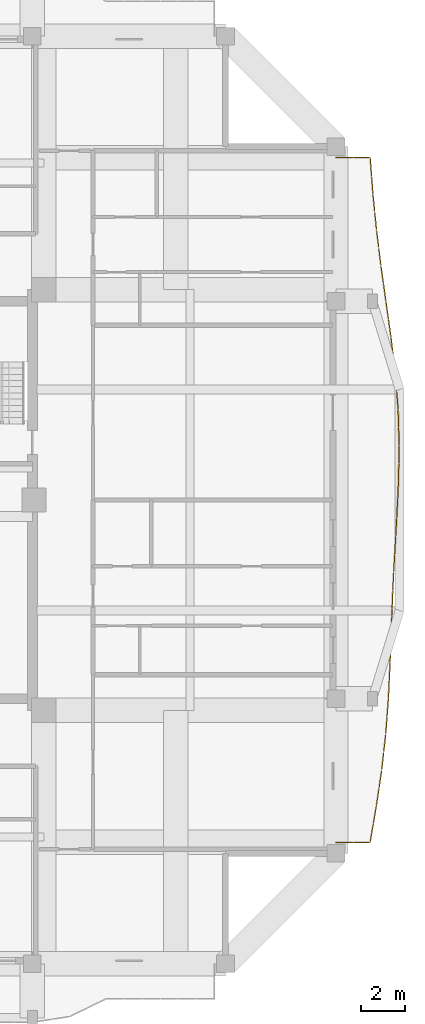
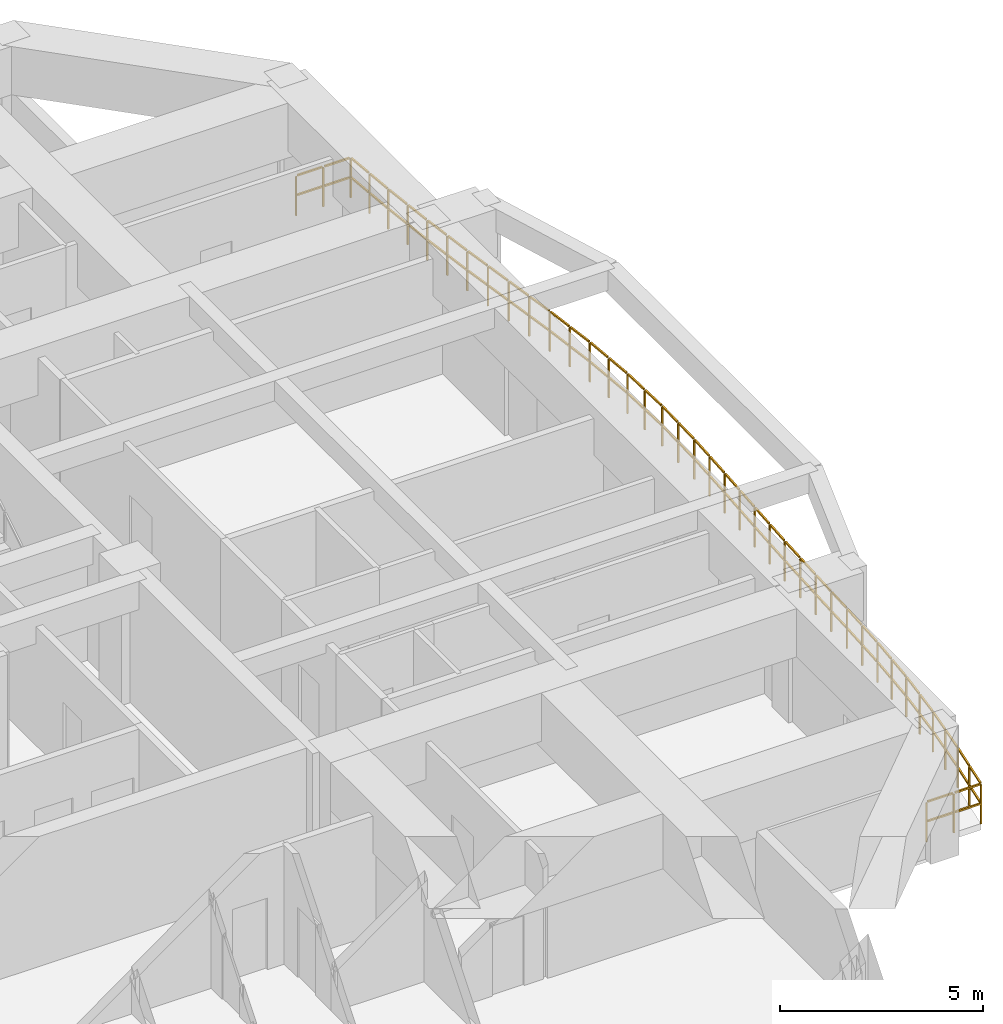
# One storey, part 12 of 13: 1 railing.
"""IFC4 building model written with IfcOpenShell, lengths in metres."""

from ifc_helpers import new_model, si_unit, direction, frame, origin, origin_2d, place, context, subcontext, project, spatial, rectangle, extrude, material, type_object, element, save


model = new_model("IFC4")

# Units and contexts
model_context = context("Model", 3, precision=1e-05, world=origin(), true_north=direction((0.0, 1.0)))
body_context = subcontext(model_context, "Body", "Model", "MODEL_VIEW")
ifc_project = project(units=[si_unit("LENGTHUNIT", "METRE"), si_unit("AREAUNIT", "SQUARE_METRE"), si_unit("VOLUMEUNIT", "CUBIC_METRE"), si_unit("PLANEANGLEUNIT", "RADIAN"), si_unit("MASSUNIT", "GRAM", prefix="KILO")], contexts=[model_context])

# Site, building, storey
site_placement = place(None, origin())
site = spatial("IfcSite", under=ifc_project, at=site_placement, CompositionType="ELEMENT")
building_placement = place(site_placement, origin())
building = spatial("IfcBuilding", under=site, at=building_placement, Name="Saelheon Loggia Tower", CompositionType="ELEMENT")
storey_placement = place(building_placement, frame((0.0, 0.0, 192.699951171875)))
storey = spatial("IfcBuildingStorey", under=building, at=storey_placement, Name="L60", CompositionType="ELEMENT", Elevation=192.699951171875)

# Railing
ifc_material = material(Name="Architectural Precast Concrete and Laminated Glass Guard", Category="concrete")
railing_type = type_object("IfcRailingType", Name="Guard_Loggia_RL_LOG", PredefinedType="BALUSTRADE", material=ifc_material)
railing_placement = place(storey_placement, frame((58.25, 11.5, 0.0)))
element("IfcRailing", 1, at=railing_placement, inside=storey, type_object=railing_type, Name="L60 East Loggia Balustrade", PredefinedType="BALUSTRADE", context=body_context, shape_type="SweptSolid", body=[
    extrude(rectangle(XDim=0.048095703125, YDim=0.048095703125, at=origin_2d()), frame((0.033203125, 0.0, 1.19580078125), z_axis=(1.0, 0.0, 0.0), x_axis=(0.0, 1.0, 0.0)), (0.0, 0.0, 1.0), 0.70849609375),
    extrude(rectangle(XDim=0.048095703125, YDim=0.048095703125, at=origin_2d()), frame((0.033203125, 0.0, 0.60986328125), z_axis=(1.0, 0.0, 0.0), x_axis=(0.0, 1.0, 0.0)), (0.0, 0.0, 1.0), 0.70849609375),
    extrude(rectangle(XDim=0.048095703125, YDim=0.048095703125, at=origin_2d()), frame((0.808349609375, 0.0, 1.19580078125), z_axis=(1.0, 0.0, 0.0), x_axis=(0.0, 1.0, 0.0)), (0.0, 0.0, 1.0), 0.70849609375),
    extrude(rectangle(XDim=0.048095703125, YDim=0.048095703125, at=origin_2d()), frame((0.808349609375, 0.0, 0.60986328125), z_axis=(1.0, 0.0, 0.0), x_axis=(0.0, 1.0, 0.0)), (0.0, 0.0, 1.0), 0.70849609375),
    extrude(rectangle(XDim=0.048095703125, YDim=0.048095703125, at=origin_2d()), frame((1.5556640625, 0.03271484375, 1.19580078125), z_axis=(0.168583084277, 0.985687447265, 0.0), x_axis=(-0.985687447265, 0.168583084277, 0.0)), (0.0, 0.0, 1.0), 0.76123046875),
    extrude(rectangle(XDim=0.048095703125, YDim=0.048095703125, at=origin_2d()), frame((1.5556640625, 0.03271484375, 0.60986328125), z_axis=(0.168583084277, 0.985687447265, 0.0), x_axis=(-0.985687447265, 0.168583084277, 0.0)), (0.0, 0.0, 1.0), 0.76123046875),
    extrude(rectangle(XDim=0.048095703125, YDim=0.048095703125, at=origin_2d()), frame((1.695068359375, 0.8486328125, 1.19580078125), z_axis=(0.168583084277, 0.985687447265, 0.0), x_axis=(-0.985687447265, 0.168583084277, 0.0)), (0.0, 0.0, 1.0), 0.76123046875),
    extrude(rectangle(XDim=0.048095703125, YDim=0.048095703125, at=origin_2d()), frame((1.695068359375, 0.8486328125, 0.60986328125), z_axis=(0.168583084277, 0.985687447265, 0.0), x_axis=(-0.985687447265, 0.168583084277, 0.0)), (0.0, 0.0, 1.0), 0.76123046875),
    extrude(rectangle(XDim=0.048095703125, YDim=0.048095703125, at=origin_2d()), frame((1.833984375, 1.66455078125, 1.19580078125), z_axis=(0.147262012595, 0.989097517764, 0.0), x_axis=(-0.989097517764, 0.147262012595, 0.0)), (0.0, 0.0, 1.0), 0.75830078125),
    extrude(rectangle(XDim=0.048095703125, YDim=0.048095703125, at=origin_2d()), frame((1.833984375, 1.66455078125, 0.60986328125), z_axis=(0.147262012595, 0.989097517764, 0.0), x_axis=(-0.989097517764, 0.147262012595, 0.0)), (0.0, 0.0, 1.0), 0.75830078125),
    extrude(rectangle(XDim=0.048095703125, YDim=0.048095703125, at=origin_2d()), frame((1.95556640625, 2.480224609375, 1.19580078125), z_axis=(0.147262012595, 0.989097517764, 0.0), x_axis=(-0.989097517764, 0.147262012595, 0.0)), (0.0, 0.0, 1.0), 0.75830078125),
    extrude(rectangle(XDim=0.048095703125, YDim=0.048095703125, at=origin_2d()), frame((1.95556640625, 2.480224609375, 0.60986328125), z_axis=(0.147262012595, 0.989097517764, 0.0), x_axis=(-0.989097517764, 0.147262012595, 0.0)), (0.0, 0.0, 1.0), 0.75830078125),
    extrude(rectangle(XDim=0.048095703125, YDim=0.048095703125, at=origin_2d()), frame((2.07568359375, 3.296142578125, 1.19580078125), z_axis=(0.111671794523, 0.993745143539, 0.0), x_axis=(-0.993745143539, 0.111671794523, 0.0)), (0.0, 0.0, 1.0), 0.75439453125),
    extrude(rectangle(XDim=0.048095703125, YDim=0.048095703125, at=origin_2d()), frame((2.07568359375, 3.296142578125, 0.60986328125), z_axis=(0.111671794523, 0.993745143539, 0.0), x_axis=(-0.993745143539, 0.111671794523, 0.0)), (0.0, 0.0, 1.0), 0.75439453125),
    extrude(rectangle(XDim=0.048095703125, YDim=0.048095703125, at=origin_2d()), frame((2.16748046875, 4.112060546875, 1.19580078125), z_axis=(0.111671794523, 0.993745143539, 0.0), x_axis=(-0.993745143539, 0.111671794523, 0.0)), (0.0, 0.0, 1.0), 0.75439453125),
    extrude(rectangle(XDim=0.048095703125, YDim=0.048095703125, at=origin_2d()), frame((2.16748046875, 4.112060546875, 0.60986328125), z_axis=(0.111671794523, 0.993745143539, 0.0), x_axis=(-0.993745143539, 0.111671794523, 0.0)), (0.0, 0.0, 1.0), 0.75439453125),
    extrude(rectangle(XDim=0.048095703125, YDim=0.048095703125, at=origin_2d()), frame((2.2578125, 4.927978515625, 1.19580078125), z_axis=(0.074162999853, 0.997246132834, 0.0), x_axis=(-0.997246132834, 0.074162999853, 0.0)), (0.0, 0.0, 1.0), 0.75146484375),
    extrude(rectangle(XDim=0.048095703125, YDim=0.048095703125, at=origin_2d()), frame((2.2578125, 4.927978515625, 0.60986328125), z_axis=(0.074162999853, 0.997246132834, 0.0), x_axis=(-0.997246132834, 0.074162999853, 0.0)), (0.0, 0.0, 1.0), 0.75146484375),
    extrude(rectangle(XDim=0.048095703125, YDim=0.048095703125, at=origin_2d()), frame((2.318603515625, 5.74365234375, 1.19580078125), z_axis=(0.074162999853, 0.997246132834, 0.0), x_axis=(-0.997246132834, 0.074162999853, 0.0)), (0.0, 0.0, 1.0), 0.75146484375),
    extrude(rectangle(XDim=0.048095703125, YDim=0.048095703125, at=origin_2d()), frame((2.318603515625, 5.74365234375, 0.60986328125), z_axis=(0.074162999853, 0.997246132834, 0.0), x_axis=(-0.997246132834, 0.074162999853, 0.0)), (0.0, 0.0, 1.0), 0.75146484375),
    extrude(rectangle(XDim=0.048095703125, YDim=0.048095703125, at=origin_2d()), frame((2.378173828125, 6.5595703125, 1.19580078125), z_axis=(0.04633652921, 0.99892588617, 0.0), x_axis=(-0.99892588617, 0.04633652921, 0.0)), (0.0, 0.0, 1.0), 0.750244140625),
    extrude(rectangle(XDim=0.048095703125, YDim=0.048095703125, at=origin_2d()), frame((2.378173828125, 6.5595703125, 0.60986328125), z_axis=(0.04633652921, 0.99892588617, 0.0), x_axis=(-0.99892588617, 0.04633652921, 0.0)), (0.0, 0.0, 1.0), 0.750244140625),
    extrude(rectangle(XDim=0.048095703125, YDim=0.048095703125, at=origin_2d()), frame((2.416015625, 7.375244140625, 1.19580078125), z_axis=(0.04633652921, 0.99892588617, 0.0), x_axis=(-0.99892588617, 0.04633652921, 0.0)), (0.0, 0.0, 1.0), 0.750244140625),
    extrude(rectangle(XDim=0.048095703125, YDim=0.048095703125, at=origin_2d()), frame((2.416015625, 7.375244140625, 0.60986328125), z_axis=(0.04633652921, 0.99892588617, 0.0), x_axis=(-0.99892588617, 0.04633652921, 0.0)), (0.0, 0.0, 1.0), 0.750244140625),
    extrude(rectangle(XDim=0.048095703125, YDim=0.048095703125, at=origin_2d()), frame((2.45361328125, 8.191162109375, 1.19580078125), z_axis=(0.035440836595, 0.999371776218, 0.0), x_axis=(-0.999371776218, 0.035440836595, 0.0)), (0.0, 0.0, 1.0), 0.749755859375),
    extrude(rectangle(XDim=0.048095703125, YDim=0.048095703125, at=origin_2d()), frame((2.45361328125, 8.191162109375, 0.60986328125), z_axis=(0.035440836595, 0.999371776218, 0.0), x_axis=(-0.999371776218, 0.035440836595, 0.0)), (0.0, 0.0, 1.0), 0.749755859375),
    extrude(rectangle(XDim=0.048095703125, YDim=0.048095703125, at=origin_2d()), frame((2.482421875, 9.007080078125, 1.19580078125), z_axis=(0.035440836595, 0.999371776218, 0.0), x_axis=(-0.999371776218, 0.035440836595, 0.0)), (0.0, 0.0, 1.0), 0.749755859375),
    extrude(rectangle(XDim=0.048095703125, YDim=0.048095703125, at=origin_2d()), frame((2.482421875, 9.007080078125, 0.60986328125), z_axis=(0.035440836595, 0.999371776218, 0.0), x_axis=(-0.999371776218, 0.035440836595, 0.0)), (0.0, 0.0, 1.0), 0.749755859375),
    extrude(rectangle(XDim=0.048095703125, YDim=0.048095703125, at=origin_2d()), frame((2.511474609375, 9.82275390625, 1.19580078125), z_axis=(0.039920270214, 0.999202868304, 0.0), x_axis=(-0.999202868304, 0.039920270214, 0.0)), (0.0, 0.0, 1.0), 0.75),
    extrude(rectangle(XDim=0.048095703125, YDim=0.048095703125, at=origin_2d()), frame((2.511474609375, 9.82275390625, 0.60986328125), z_axis=(0.039920270214, 0.999202868304, 0.0), x_axis=(-0.999202868304, 0.039920270214, 0.0)), (0.0, 0.0, 1.0), 0.75),
    extrude(rectangle(XDim=0.048095703125, YDim=0.048095703125, at=origin_2d()), frame((2.544189453125, 10.638671875, 1.19580078125), z_axis=(0.039920270214, 0.999202868304, 0.0), x_axis=(-0.999202868304, 0.039920270214, 0.0)), (0.0, 0.0, 1.0), 0.75),
    extrude(rectangle(XDim=0.048095703125, YDim=0.048095703125, at=origin_2d()), frame((2.544189453125, 10.638671875, 0.60986328125), z_axis=(0.039920270214, 0.999202868304, 0.0), x_axis=(-0.999202868304, 0.039920270214, 0.0)), (0.0, 0.0, 1.0), 0.75),
    extrude(rectangle(XDim=0.048095703125, YDim=0.048095703125, at=origin_2d()), frame((2.5771484375, 11.454345703125, 1.19580078125), z_axis=(0.051264440906, 0.998685114087, 0.0), x_axis=(-0.998685114087, 0.051264440906, 0.0)), (0.0, 0.0, 1.0), 0.750244140625),
    extrude(rectangle(XDim=0.048095703125, YDim=0.048095703125, at=origin_2d()), frame((2.5771484375, 11.454345703125, 0.60986328125), z_axis=(0.051264440906, 0.998685114087, 0.0), x_axis=(-0.998685114087, 0.051264440906, 0.0)), (0.0, 0.0, 1.0), 0.750244140625),
    extrude(rectangle(XDim=0.048095703125, YDim=0.048095703125, at=origin_2d()), frame((2.618896484375, 12.27001953125, 1.19580078125), z_axis=(0.051264440906, 0.998685114087, 0.0), x_axis=(-0.998685114087, 0.051264440906, 0.0)), (0.0, 0.0, 1.0), 0.750244140625),
    extrude(rectangle(XDim=0.048095703125, YDim=0.048095703125, at=origin_2d()), frame((2.618896484375, 12.27001953125, 0.60986328125), z_axis=(0.051264440906, 0.998685114087, 0.0), x_axis=(-0.998685114087, 0.051264440906, 0.0)), (0.0, 0.0, 1.0), 0.750244140625),
    extrude(rectangle(XDim=0.048095703125, YDim=0.048095703125, at=origin_2d()), frame((2.6611328125, 13.085693359375, 1.19580078125), z_axis=(0.057066808054, 0.998370361849, 0.0), x_axis=(-0.998370361849, 0.057066808054, 0.0)), (0.0, 0.0, 1.0), 0.750732421875),
    extrude(rectangle(XDim=0.048095703125, YDim=0.048095703125, at=origin_2d()), frame((2.6611328125, 13.085693359375, 0.60986328125), z_axis=(0.057066808054, 0.998370361849, 0.0), x_axis=(-0.998370361849, 0.057066808054, 0.0)), (0.0, 0.0, 1.0), 0.750732421875),
    extrude(rectangle(XDim=0.048095703125, YDim=0.048095703125, at=origin_2d()), frame((2.707763671875, 13.9013671875, 1.19580078125), z_axis=(0.057066808054, 0.998370361849, 0.0), x_axis=(-0.998370361849, 0.057066808054, 0.0)), (0.0, 0.0, 1.0), 0.750732421875),
    extrude(rectangle(XDim=0.048095703125, YDim=0.048095703125, at=origin_2d()), frame((2.707763671875, 13.9013671875, 0.60986328125), z_axis=(0.057066808054, 0.998370361849, 0.0), x_axis=(-0.998370361849, 0.057066808054, 0.0)), (0.0, 0.0, 1.0), 0.750732421875),
    extrude(rectangle(XDim=0.048095703125, YDim=0.048095703125, at=origin_2d()), frame((2.75390625, 14.71728515625, 1.19580078125), z_axis=(0.047373442202, 0.998877248201, 0.0), x_axis=(-0.998877248201, 0.047373442202, 0.0)), (0.0, 0.0, 1.0), 0.75048828125),
    extrude(rectangle(XDim=0.048095703125, YDim=0.048095703125, at=origin_2d()), frame((2.75390625, 14.71728515625, 0.60986328125), z_axis=(0.047373442202, 0.998877248201, 0.0), x_axis=(-0.998877248201, 0.047373442202, 0.0)), (0.0, 0.0, 1.0), 0.75048828125),
    extrude(rectangle(XDim=0.048095703125, YDim=0.048095703125, at=origin_2d()), frame((2.792724609375, 15.533203125, 1.19580078125), z_axis=(0.047373442202, 0.998877248201, 0.0), x_axis=(-0.998877248201, 0.047373442202, 0.0)), (0.0, 0.0, 1.0), 0.75048828125),
    extrude(rectangle(XDim=0.048095703125, YDim=0.048095703125, at=origin_2d()), frame((2.792724609375, 15.533203125, 0.60986328125), z_axis=(0.047373442202, 0.998877248201, 0.0), x_axis=(-0.998877248201, 0.047373442202, 0.0)), (0.0, 0.0, 1.0), 0.75048828125),
    extrude(rectangle(XDim=0.048095703125, YDim=0.048095703125, at=origin_2d()), frame((2.830322265625, 16.34912109375, 1.19580078125), z_axis=(0.017803552147, 0.999841504205, 0.0), x_axis=(-0.999841504205, 0.017803552147, 0.0)), (0.0, 0.0, 1.0), 0.74951171875),
    extrude(rectangle(XDim=0.048095703125, YDim=0.048095703125, at=origin_2d()), frame((2.830322265625, 16.34912109375, 0.60986328125), z_axis=(0.017803552147, 0.999841504205, 0.0), x_axis=(-0.999841504205, 0.017803552147, 0.0)), (0.0, 0.0, 1.0), 0.74951171875),
    extrude(rectangle(XDim=0.048095703125, YDim=0.048095703125, at=origin_2d()), frame((2.844970703125, 17.1650390625, 1.19580078125), z_axis=(0.017803552147, 0.999841504205, 0.0), x_axis=(-0.999841504205, 0.017803552147, 0.0)), (0.0, 0.0, 1.0), 0.74951171875),
    extrude(rectangle(XDim=0.048095703125, YDim=0.048095703125, at=origin_2d()), frame((2.844970703125, 17.1650390625, 0.60986328125), z_axis=(0.017803552147, 0.999841504205, 0.0), x_axis=(-0.999841504205, 0.017803552147, 0.0)), (0.0, 0.0, 1.0), 0.74951171875),
    extrude(rectangle(XDim=0.048095703125, YDim=0.048095703125, at=origin_2d()), frame((2.85791015625, 17.980712890625, 1.19580078125), z_axis=(-0.027077766049, 0.999633330069, 0.0), x_axis=(-0.999633330069, -0.027077766049, 0.0)), (0.0, 0.0, 1.0), 0.74951171875),
    extrude(rectangle(XDim=0.048095703125, YDim=0.048095703125, at=origin_2d()), frame((2.85791015625, 17.980712890625, 0.60986328125), z_axis=(-0.027077766049, 0.999633330069, 0.0), x_axis=(-0.999633330069, -0.027077766049, 0.0)), (0.0, 0.0, 1.0), 0.74951171875),
    extrude(rectangle(XDim=0.048095703125, YDim=0.048095703125, at=origin_2d()), frame((2.8359375, 18.79638671875, 1.19580078125), z_axis=(-0.027077766049, 0.999633330069, 0.0), x_axis=(-0.999633330069, -0.027077766049, 0.0)), (0.0, 0.0, 1.0), 0.74951171875),
    extrude(rectangle(XDim=0.048095703125, YDim=0.048095703125, at=origin_2d()), frame((2.8359375, 18.79638671875, 0.60986328125), z_axis=(-0.027077766049, 0.999633330069, 0.0), x_axis=(-0.999633330069, -0.027077766049, 0.0)), (0.0, 0.0, 1.0), 0.74951171875),
    extrude(rectangle(XDim=0.048095703125, YDim=0.048095703125, at=origin_2d()), frame((2.812255859375, 19.612060546875, 1.19580078125), z_axis=(-0.07668509002, 0.997055363041, 0.0), x_axis=(-0.997055363041, -0.07668509002, 0.0)), (0.0, 0.0, 1.0), 0.751708984375),
    extrude(rectangle(XDim=0.048095703125, YDim=0.048095703125, at=origin_2d()), frame((2.812255859375, 19.612060546875, 0.60986328125), z_axis=(-0.07668509002, 0.997055363041, 0.0), x_axis=(-0.997055363041, -0.07668509002, 0.0)), (0.0, 0.0, 1.0), 0.751708984375),
    extrude(rectangle(XDim=0.048095703125, YDim=0.048095703125, at=origin_2d()), frame((2.74951171875, 20.427734375, 1.19580078125), z_axis=(-0.07668509002, 0.997055363041, 0.0), x_axis=(-0.997055363041, -0.07668509002, 0.0)), (0.0, 0.0, 1.0), 0.751708984375),
    extrude(rectangle(XDim=0.048095703125, YDim=0.048095703125, at=origin_2d()), frame((2.74951171875, 20.427734375, 0.60986328125), z_axis=(-0.07668509002, 0.997055363041, 0.0), x_axis=(-0.997055363041, -0.07668509002, 0.0)), (0.0, 0.0, 1.0), 0.751708984375),
    extrude(rectangle(XDim=0.048095703125, YDim=0.048095703125, at=origin_2d()), frame((2.685302734375, 21.243408203125, 1.19580078125), z_axis=(-0.117393022893, 0.993085534169, 0.0), x_axis=(-0.993085534169, -0.117393022893, 0.0)), (0.0, 0.0, 1.0), 0.755126953125),
    extrude(rectangle(XDim=0.048095703125, YDim=0.048095703125, at=origin_2d()), frame((2.685302734375, 21.243408203125, 0.60986328125), z_axis=(-0.117393022893, 0.993085534169, 0.0), x_axis=(-0.993085534169, -0.117393022893, 0.0)), (0.0, 0.0, 1.0), 0.755126953125),
    extrude(rectangle(XDim=0.048095703125, YDim=0.048095703125, at=origin_2d()), frame((2.5888671875, 22.059326171875, 1.19580078125), z_axis=(-0.117393022893, 0.993085534169, 0.0), x_axis=(-0.993085534169, -0.117393022893, 0.0)), (0.0, 0.0, 1.0), 0.755126953125),
    extrude(rectangle(XDim=0.048095703125, YDim=0.048095703125, at=origin_2d()), frame((2.5888671875, 22.059326171875, 0.60986328125), z_axis=(-0.117393022893, 0.993085534169, 0.0), x_axis=(-0.993085534169, -0.117393022893, 0.0)), (0.0, 0.0, 1.0), 0.755126953125),
    extrude(rectangle(XDim=0.048095703125, YDim=0.048095703125, at=origin_2d()), frame((2.49169921875, 22.875, 1.19580078125), z_axis=(-0.138848404574, 0.990313647562, 0.0), x_axis=(-0.990313647562, -0.138848404574, 0.0)), (0.0, 0.0, 1.0), 0.75732421875),
    extrude(rectangle(XDim=0.048095703125, YDim=0.048095703125, at=origin_2d()), frame((2.49169921875, 22.875, 0.60986328125), z_axis=(-0.138848404574, 0.990313647562, 0.0), x_axis=(-0.990313647562, -0.138848404574, 0.0)), (0.0, 0.0, 1.0), 0.75732421875),
    extrude(rectangle(XDim=0.048095703125, YDim=0.048095703125, at=origin_2d()), frame((2.37744140625, 23.690673828125, 1.19580078125), z_axis=(-0.138848404574, 0.990313647562, 0.0), x_axis=(-0.990313647562, -0.138848404574, 0.0)), (0.0, 0.0, 1.0), 0.75732421875),
    extrude(rectangle(XDim=0.048095703125, YDim=0.048095703125, at=origin_2d()), frame((2.37744140625, 23.690673828125, 0.60986328125), z_axis=(-0.138848404574, 0.990313647562, 0.0), x_axis=(-0.990313647562, -0.138848404574, 0.0)), (0.0, 0.0, 1.0), 0.75732421875),
    extrude(rectangle(XDim=0.048095703125, YDim=0.048095703125, at=origin_2d()), frame((2.262939453125, 24.506591796875, 1.19580078125), z_axis=(-0.138993727262, 0.990293261505, 0.0), x_axis=(-0.990293261505, -0.138993727262, 0.0)), (0.0, 0.0, 1.0), 0.75732421875),
    extrude(rectangle(XDim=0.048095703125, YDim=0.048095703125, at=origin_2d()), frame((2.262939453125, 24.506591796875, 0.60986328125), z_axis=(-0.138993727262, 0.990293261505, 0.0), x_axis=(-0.990293261505, -0.138993727262, 0.0)), (0.0, 0.0, 1.0), 0.75732421875),
    extrude(rectangle(XDim=0.048095703125, YDim=0.048095703125, at=origin_2d()), frame((2.1484375, 25.322265625, 1.19580078125), z_axis=(-0.138993727262, 0.990293261505, 0.0), x_axis=(-0.990293261505, -0.138993727262, 0.0)), (0.0, 0.0, 1.0), 0.75732421875),
    extrude(rectangle(XDim=0.048095703125, YDim=0.048095703125, at=origin_2d()), frame((2.1484375, 25.322265625, 0.60986328125), z_axis=(-0.138993727262, 0.990293261505, 0.0), x_axis=(-0.990293261505, -0.138993727262, 0.0)), (0.0, 0.0, 1.0), 0.75732421875),
    extrude(rectangle(XDim=0.048095703125, YDim=0.048095703125, at=origin_2d()), frame((2.034423828125, 26.13818359375, 1.19580078125), z_axis=(-0.122224972711, 0.992502421179, 0.0), x_axis=(-0.992502421179, -0.122224972711, 0.0)), (0.0, 0.0, 1.0), 0.75537109375),
    extrude(rectangle(XDim=0.048095703125, YDim=0.048095703125, at=origin_2d()), frame((2.034423828125, 26.13818359375, 0.60986328125), z_axis=(-0.122224972711, 0.992502421179, 0.0), x_axis=(-0.992502421179, -0.122224972711, 0.0)), (0.0, 0.0, 1.0), 0.75537109375),
    extrude(rectangle(XDim=0.048095703125, YDim=0.048095703125, at=origin_2d()), frame((1.93408203125, 26.9541015625, 1.19580078125), z_axis=(-0.122224972711, 0.992502421179, 0.0), x_axis=(-0.992502421179, -0.122224972711, 0.0)), (0.0, 0.0, 1.0), 0.75537109375),
    extrude(rectangle(XDim=0.048095703125, YDim=0.048095703125, at=origin_2d()), frame((1.93408203125, 26.9541015625, 0.60986328125), z_axis=(-0.122224972711, 0.992502421179, 0.0), x_axis=(-0.992502421179, -0.122224972711, 0.0)), (0.0, 0.0, 1.0), 0.75537109375),
    extrude(rectangle(XDim=0.048095703125, YDim=0.048095703125, at=origin_2d()), frame((1.83447265625, 27.769775390625, 1.19580078125), z_axis=(-0.099164643461, 0.995071039417, 0.0), x_axis=(-0.995071039417, -0.099164643461, 0.0)), (0.0, 0.0, 1.0), 0.75341796875),
    extrude(rectangle(XDim=0.048095703125, YDim=0.048095703125, at=origin_2d()), frame((1.83447265625, 27.769775390625, 0.60986328125), z_axis=(-0.099164643461, 0.995071039417, 0.0), x_axis=(-0.995071039417, -0.099164643461, 0.0)), (0.0, 0.0, 1.0), 0.75341796875),
    extrude(rectangle(XDim=0.048095703125, YDim=0.048095703125, at=origin_2d()), frame((1.753173828125, 28.585693359375, 1.19580078125), z_axis=(-0.099164643461, 0.995071039417, 0.0), x_axis=(-0.995071039417, -0.099164643461, 0.0)), (0.0, 0.0, 1.0), 0.75341796875),
    extrude(rectangle(XDim=0.048095703125, YDim=0.048095703125, at=origin_2d()), frame((1.753173828125, 28.585693359375, 0.60986328125), z_axis=(-0.099164643461, 0.995071039417, 0.0), x_axis=(-0.995071039417, -0.099164643461, 0.0)), (0.0, 0.0, 1.0), 0.75341796875),
    extrude(rectangle(XDim=0.048095703125, YDim=0.048095703125, at=origin_2d()), frame((1.672607421875, 29.401611328125, 1.19580078125), z_axis=(-0.076388448974, 0.997078133781, 0.0), x_axis=(-0.997078133781, -0.076388448974, 0.0)), (0.0, 0.0, 1.0), 0.751708984375),
    extrude(rectangle(XDim=0.048095703125, YDim=0.048095703125, at=origin_2d()), frame((1.672607421875, 29.401611328125, 0.60986328125), z_axis=(-0.076388448974, 0.997078133781, 0.0), x_axis=(-0.997078133781, -0.076388448974, 0.0)), (0.0, 0.0, 1.0), 0.751708984375),
    extrude(rectangle(XDim=0.048095703125, YDim=0.048095703125, at=origin_2d()), frame((1.610107421875, 30.21728515625, 1.19580078125), z_axis=(-0.076388448974, 0.997078133781, 0.0), x_axis=(-0.997078133781, -0.076388448974, 0.0)), (0.0, 0.0, 1.0), 0.751708984375),
    extrude(rectangle(XDim=0.048095703125, YDim=0.048095703125, at=origin_2d()), frame((1.610107421875, 30.21728515625, 0.60986328125), z_axis=(-0.076388448974, 0.997078133781, 0.0), x_axis=(-0.997078133781, -0.076388448974, 0.0)), (0.0, 0.0, 1.0), 0.751708984375),
    extrude(rectangle(XDim=0.048095703125, YDim=0.048095703125, at=origin_2d()), frame((1.516845703125, 31.0, 1.19580078125), z_axis=(-1.0, 0.0, 0.0), x_axis=(0.0, -1.0, 0.0)), (0.0, 0.0, 1.0), 0.70849609375),
    extrude(rectangle(XDim=0.048095703125, YDim=0.048095703125, at=origin_2d()), frame((1.516845703125, 31.0, 0.60986328125), z_axis=(-1.0, 0.0, 0.0), x_axis=(0.0, -1.0, 0.0)), (0.0, 0.0, 1.0), 0.70849609375),
    extrude(rectangle(XDim=0.048095703125, YDim=0.048095703125, at=origin_2d()), frame((0.74169921875, 31.0, 1.19580078125), z_axis=(-1.0, 0.0, 0.0), x_axis=(0.0, -1.0, 0.0)), (0.0, 0.0, 1.0), 0.70849609375),
    extrude(rectangle(XDim=0.048095703125, YDim=0.048095703125, at=origin_2d()), frame((0.74169921875, 31.0, 0.60986328125), z_axis=(-1.0, 0.0, 0.0), x_axis=(0.0, -1.0, 0.0)), (0.0, 0.0, 1.0), 0.70849609375),
    extrude(rectangle(XDim=0.0419921875, YDim=0.0419921875, at=origin_2d()), origin(), (0.0, 0.0, 1.0), 1.16796875),
    extrude(rectangle(XDim=0.0419921875, YDim=0.0419921875, at=origin_2d()), frame((0.77490234375, 0.0, 0.0)), (0.0, 0.0, 1.0), 1.16796875),
    extrude(rectangle(XDim=0.0419921875, YDim=0.0419921875, at=origin_2d()), frame((1.550048828125, 0.0, 0.0)), (0.0, 0.0, 1.0), 1.16796875),
    extrude(rectangle(XDim=0.0419921875, YDim=0.0419921875, at=origin_2d()), frame((1.689453125, 0.81591796875, 0.0)), (0.0, 0.0, 1.0), 1.16796875),
    extrude(rectangle(XDim=0.0419921875, YDim=0.0419921875, at=origin_2d()), frame((1.8291015625, 1.631591796875, 0.0)), (0.0, 0.0, 1.0), 1.16796875),
    extrude(rectangle(XDim=0.0419921875, YDim=0.0419921875, at=origin_2d()), frame((1.95068359375, 2.447265625, 0.0)), (0.0, 0.0, 1.0), 1.16796875),
    extrude(rectangle(XDim=0.0419921875, YDim=0.0419921875, at=origin_2d()), frame((2.072021484375, 3.26318359375, 0.0)), (0.0, 0.0, 1.0), 1.16796875),
    extrude(rectangle(XDim=0.0419921875, YDim=0.0419921875, at=origin_2d()), frame((2.16357421875, 4.0791015625, 0.0)), (0.0, 0.0, 1.0), 1.16796875),
    extrude(rectangle(XDim=0.0419921875, YDim=0.0419921875, at=origin_2d()), frame((2.25537109375, 4.894775390625, 0.0)), (0.0, 0.0, 1.0), 1.16796875),
    extrude(rectangle(XDim=0.0419921875, YDim=0.0419921875, at=origin_2d()), frame((2.31591796875, 5.71044921875, 0.0)), (0.0, 0.0, 1.0), 1.16796875),
    extrude(rectangle(XDim=0.0419921875, YDim=0.0419921875, at=origin_2d()), frame((2.376708984375, 6.5263671875, 0.0)), (0.0, 0.0, 1.0), 1.16796875),
    extrude(rectangle(XDim=0.0419921875, YDim=0.0419921875, at=origin_2d()), frame((2.41455078125, 7.34228515625, 0.0)), (0.0, 0.0, 1.0), 1.16796875),
    extrude(rectangle(XDim=0.0419921875, YDim=0.0419921875, at=origin_2d()), frame((2.452392578125, 8.157958984375, 0.0)), (0.0, 0.0, 1.0), 1.16796875),
    extrude(rectangle(XDim=0.0419921875, YDim=0.0419921875, at=origin_2d()), frame((2.4814453125, 8.9736328125, 0.0)), (0.0, 0.0, 1.0), 1.16796875),
    extrude(rectangle(XDim=0.0419921875, YDim=0.0419921875, at=origin_2d()), frame((2.51025390625, 9.78955078125, 0.0)), (0.0, 0.0, 1.0), 1.16796875),
    extrude(rectangle(XDim=0.0419921875, YDim=0.0419921875, at=origin_2d()), frame((2.54296875, 10.60546875, 0.0)), (0.0, 0.0, 1.0), 1.16796875),
    extrude(rectangle(XDim=0.0419921875, YDim=0.0419921875, at=origin_2d()), frame((2.575439453125, 11.421142578125, 0.0)), (0.0, 0.0, 1.0), 1.16796875),
    extrude(rectangle(XDim=0.0419921875, YDim=0.0419921875, at=origin_2d()), frame((2.6171875, 12.23681640625, 0.0)), (0.0, 0.0, 1.0), 1.16796875),
    extrude(rectangle(XDim=0.0419921875, YDim=0.0419921875, at=origin_2d()), frame((2.6591796875, 13.052490234375, 0.0)), (0.0, 0.0, 1.0), 1.16796875),
    extrude(rectangle(XDim=0.0419921875, YDim=0.0419921875, at=origin_2d()), frame((2.705810546875, 13.8681640625, 0.0)), (0.0, 0.0, 1.0), 1.16796875),
    extrude(rectangle(XDim=0.0419921875, YDim=0.0419921875, at=origin_2d()), frame((2.75244140625, 14.68408203125, 0.0)), (0.0, 0.0, 1.0), 1.16796875),
    extrude(rectangle(XDim=0.0419921875, YDim=0.0419921875, at=origin_2d()), frame((2.791015625, 15.5, 0.0)), (0.0, 0.0, 1.0), 1.16796875),
    extrude(rectangle(XDim=0.0419921875, YDim=0.0419921875, at=origin_2d()), frame((2.829833984375, 16.31591796875, 0.0)), (0.0, 0.0, 1.0), 1.16796875),
    extrude(rectangle(XDim=0.0419921875, YDim=0.0419921875, at=origin_2d()), frame((2.84423828125, 17.1318359375, 0.0)), (0.0, 0.0, 1.0), 1.16796875),
    extrude(rectangle(XDim=0.0419921875, YDim=0.0419921875, at=origin_2d()), frame((2.85888671875, 17.947509765625, 0.0)), (0.0, 0.0, 1.0), 1.16796875),
    extrude(rectangle(XDim=0.0419921875, YDim=0.0419921875, at=origin_2d()), frame((2.8369140625, 18.76318359375, 0.0)), (0.0, 0.0, 1.0), 1.16796875),
    extrude(rectangle(XDim=0.0419921875, YDim=0.0419921875, at=origin_2d()), frame((2.814697265625, 19.578857421875, 0.0)), (0.0, 0.0, 1.0), 1.16796875),
    extrude(rectangle(XDim=0.0419921875, YDim=0.0419921875, at=origin_2d()), frame((2.751953125, 20.39453125, 0.0)), (0.0, 0.0, 1.0), 1.16796875),
    extrude(rectangle(XDim=0.0419921875, YDim=0.0419921875, at=origin_2d()), frame((2.689208984375, 21.21044921875, 0.0)), (0.0, 0.0, 1.0), 1.16796875),
    extrude(rectangle(XDim=0.0419921875, YDim=0.0419921875, at=origin_2d()), frame((2.5927734375, 22.0263671875, 0.0)), (0.0, 0.0, 1.0), 1.16796875),
    extrude(rectangle(XDim=0.0419921875, YDim=0.0419921875, at=origin_2d()), frame((2.496337890625, 22.842041015625, 0.0)), (0.0, 0.0, 1.0), 1.16796875),
    extrude(rectangle(XDim=0.0419921875, YDim=0.0419921875, at=origin_2d()), frame((2.3818359375, 23.65771484375, 0.0)), (0.0, 0.0, 1.0), 1.16796875),
    extrude(rectangle(XDim=0.0419921875, YDim=0.0419921875, at=origin_2d()), frame((2.267578125, 24.4736328125, 0.0)), (0.0, 0.0, 1.0), 1.16796875),
    extrude(rectangle(XDim=0.0419921875, YDim=0.0419921875, at=origin_2d()), frame((2.153076171875, 25.28955078125, 0.0)), (0.0, 0.0, 1.0), 1.16796875),
    extrude(rectangle(XDim=0.0419921875, YDim=0.0419921875, at=origin_2d()), frame((2.03857421875, 26.105224609375, 0.0)), (0.0, 0.0, 1.0), 1.16796875),
    extrude(rectangle(XDim=0.0419921875, YDim=0.0419921875, at=origin_2d()), frame((1.93798828125, 26.9208984375, 0.0)), (0.0, 0.0, 1.0), 1.16796875),
    extrude(rectangle(XDim=0.0419921875, YDim=0.0419921875, at=origin_2d()), frame((1.837646484375, 27.73681640625, 0.0)), (0.0, 0.0, 1.0), 1.16796875),
    extrude(rectangle(XDim=0.0419921875, YDim=0.0419921875, at=origin_2d()), frame((1.75634765625, 28.552734375, 0.0)), (0.0, 0.0, 1.0), 1.16796875),
    extrude(rectangle(XDim=0.0419921875, YDim=0.0419921875, at=origin_2d()), frame((1.675048828125, 29.368408203125, 0.0)), (0.0, 0.0, 1.0), 1.16796875),
    extrude(rectangle(XDim=0.0419921875, YDim=0.0419921875, at=origin_2d()), frame((1.612548828125, 30.18408203125, 0.0)), (0.0, 0.0, 1.0), 1.16796875),
    extrude(rectangle(XDim=0.0419921875, YDim=0.0419921875, at=origin_2d()), frame((1.550048828125, 31.0, 0.0)), (0.0, 0.0, 1.0), 1.16796875),
    extrude(rectangle(XDim=0.0419921875, YDim=0.0419921875, at=origin_2d()), frame((0.77490234375, 31.0, 0.0)), (0.0, 0.0, 1.0), 1.16796875),
    extrude(rectangle(XDim=0.0419921875, YDim=0.0419921875, at=origin_2d()), frame((0.0, 31.0, 0.0)), (0.0, 0.0, 1.0), 1.16796875),
])

save(model, "model.ifc")
